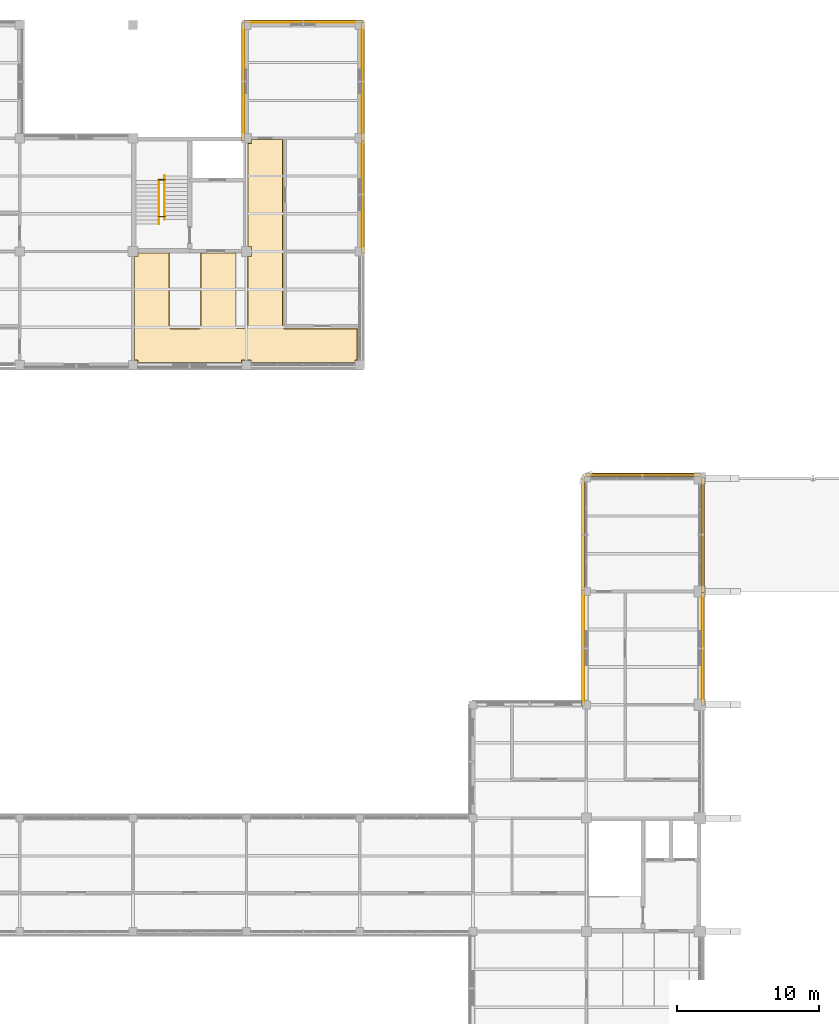
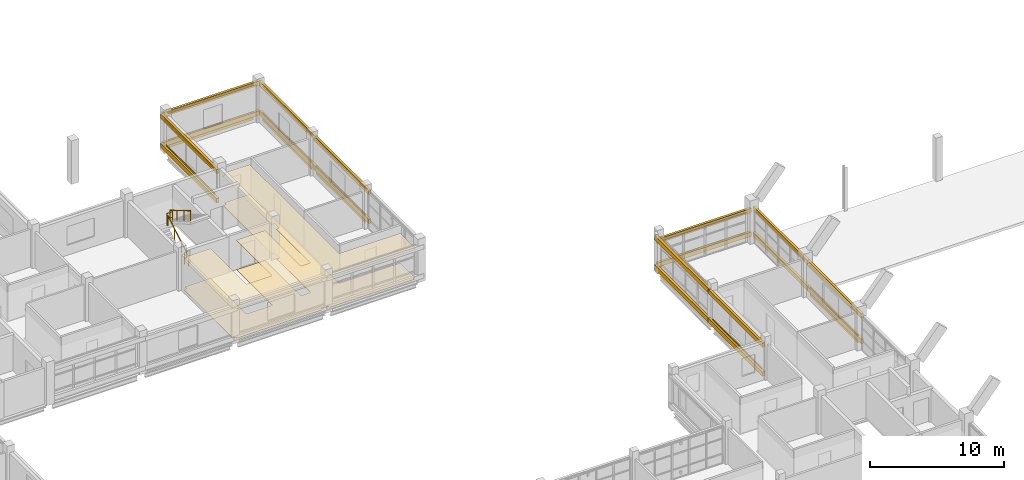
# One storey, part 87 of 92: 26 coverings, 7 shading devices, 4 railings.
"""IFC4 building model written with IfcOpenShell, lengths in metres."""

from ifc_helpers import new_model, si_unit, derived_unit, direction, frame, origin, origin_2d, place, context, subcontext, project, spatial, polyline, rectangle, circle, outline, extrude, material, layer, layer_set, material_profile, profile_set, type_object, element, save


model = new_model("IFC4")

# Units and contexts
model_context = context("Model", 3, precision=1e-05, world=origin(), true_north=direction((0.0, 1.0)))
body_context = subcontext(model_context, "Body", "Model", "MODEL_VIEW")
ifc_project = project(units=[si_unit("LENGTHUNIT", "METRE"), si_unit("AREAUNIT", "SQUARE_METRE"), si_unit("VOLUMEUNIT", "CUBIC_METRE"), si_unit("PLANEANGLEUNIT", "RADIAN"), si_unit("MASSUNIT", "GRAM", prefix="KILO"), derived_unit("THERMALTRANSMITTANCEUNIT", [(si_unit("MASSUNIT", "GRAM", prefix="KILO"), 1), (si_unit("TIMEUNIT", "SECOND"), -3), (si_unit("THERMODYNAMICTEMPERATUREUNIT", "KELVIN"), -1)])], contexts=[model_context])

# Site, building, storey
site_placement = place(None, origin())
site = spatial("IfcSite", under=ifc_project, at=site_placement, CompositionType="ELEMENT")
building_placement = place(site_placement, origin())
building = spatial("IfcBuilding", under=site, at=building_placement, Name="Veyamyaing Civic Hall", CompositionType="ELEMENT")
storey_placement = place(building_placement, frame((0.0, 0.0, 17.820068359375)))
storey = spatial("IfcBuildingStorey", under=building, at=storey_placement, Name="L04", CompositionType="ELEMENT", Elevation=17.820068359375)

# Coverings
ifc_material_1 = material(Name="Buff sandstone ashlar cladding", Category="masonry")
ifc_layer_1 = layer(ifc_material_1, 0.050048828125, Name="Buff sandstone ashlar cladding")
ifc_layer_set_1 = layer_set([ifc_layer_1], Name="Buff sandstone ashlar cladding")
covering_type_1 = type_object("IfcCoveringType", Name="CL-01", PredefinedType="CLADDING", material=ifc_layer_set_1)
covering_1_placement = place(storey_placement, frame((48.160888671875, 100.0, 0.044921875), z_axis=(0.0, 0.0, 1.0), x_axis=(0.0, 1.0, 0.0)))
element("IfcCovering", 1, at=covering_1_placement, inside=storey, type_object=covering_type_1, Name="Facade spandrel cladding CL-01 L04 E 6.13", PredefinedType="CLADDING", context=body_context, shape_type="SweptSolid", body=[
    extrude(rectangle(XDim=7.300048828125, YDim=0.050048828125, at=origin_2d()), origin(), (0.0, 0.0, 1.0), 0.75),
])
ifc_material_2 = material(Name="Turquoise glazed ceramic tile cladding", Category="masonry")
ifc_layer_2 = layer(ifc_material_2, 0.034912109375, Name="Turquoise glazed ceramic tile cladding")
ifc_layer_set_2 = layer_set([ifc_layer_2], Name="Turquoise glazed ceramic tile cladding")
covering_type_2 = type_object("IfcCoveringType", Name="CL-02", PredefinedType="CLADDING", material=ifc_layer_set_2)
covering_2_placement = place(storey_placement, frame((44.0, 112.153564453125, 0.044921875), z_axis=(0.0, 0.0, 1.0), x_axis=(1.0, 0.0, 0.0)))
element("IfcCovering", 2, at=covering_2_placement, inside=storey, type_object=covering_type_2, Name="Facade spandrel cladding CL-02 L04 N 6.14", PredefinedType="CLADDING", context=body_context, shape_type="SweptSolid", body=[
    extrude(rectangle(XDim=7.300048828125, YDim=0.034912109375, at=origin_2d()), origin(), (0.0, 0.0, 1.0), 0.75),
])
covering_3_placement = place(storey_placement, frame((39.846435546875, 108.012451171875, 0.044921875), z_axis=(0.0, 0.0, 1.0), x_axis=(0.0, 1.0, 0.0)))
element("IfcCovering", 3, at=covering_3_placement, inside=storey, type_object=covering_type_2, Name="Facade spandrel cladding CL-02 L04 W 6.14", PredefinedType="CLADDING", context=body_context, shape_type="SweptSolid", body=[
    extrude(rectangle(XDim=7.27490234375, YDim=0.034912109375, at=origin_2d()), origin(), (0.0, 0.0, 1.0), 0.75),
])
covering_4_placement = place(storey_placement, frame((48.153564453125, 108.0, 0.044921875), z_axis=(0.0, 0.0, 1.0), x_axis=(0.0, 1.0, 0.0)))
element("IfcCovering", 4, at=covering_4_placement, inside=storey, type_object=covering_type_2, Name="Facade spandrel cladding CL-02 L04 E 6.14", PredefinedType="CLADDING", context=body_context, shape_type="SweptSolid", body=[
    extrude(rectangle(XDim=7.300048828125, YDim=0.034912109375, at=origin_2d()), origin(), (0.0, 0.0, 1.0), 0.75),
])
covering_5_placement = place(storey_placement, frame((63.833984375, 68.0, 0.044921875), z_axis=(0.0, 0.0, 1.0), x_axis=(0.0, 1.0, 0.0)))
element("IfcCovering", 5, at=covering_5_placement, inside=storey, type_object=covering_type_2, Name="Facade spandrel cladding CL-02 L04 W 9.9", PredefinedType="CLADDING", context=body_context, shape_type="SweptSolid", body=[
    extrude(rectangle(XDim=7.39990234375, YDim=0.034912109375, at=origin_2d()), origin(), (0.0, 0.0, 1.0), 0.75),
])
covering_6_placement = place(storey_placement, frame((72.166015625, 68.0, 0.044921875), z_axis=(0.0, 0.0, 1.0), x_axis=(0.0, 1.0, 0.0)))
element("IfcCovering", 6, at=covering_6_placement, inside=storey, type_object=covering_type_2, Name="Facade spandrel cladding CL-02 L04 E 9.9", PredefinedType="CLADDING", context=body_context, shape_type="SweptSolid", body=[
    extrude(rectangle(XDim=7.14990234375, YDim=0.034912109375, at=origin_2d()), origin(), (0.0, 0.0, 1.0), 0.75),
])
ifc_material_3 = material(Name="White powder-coated aluminium 6063-T6", Category="aluminium")
ifc_layer_3 = layer(ifc_material_3, 0.2099609375, Name="White powder-coated aluminium 6063-T6")
ifc_layer_set_3 = layer_set([ifc_layer_3], Name="White powder-coated aluminium 6063-T6")
covering_type_3 = type_object("IfcCoveringType", Name="CL-03", PredefinedType="CLADDING", material=ifc_layer_set_3)
for number, where, z_axis, x_axis, name in (
    (7, (48.239990234375, 100.0, 2.93408203125), (0.0, 0.0, 1.0), (0.0, 1.0, 0.0), "Continuous white head fascia ribbon CL-03 L04 E 6.13"),
    (8, (48.239990234375, 100.0, 0.280029296875), (0.0, 0.0, 1.0), (0.0, 1.0, 0.0), "Continuous white sill fascia ribbon CL-03 L04 E 6.13"),
    (9, (44.0, 112.239990234375, 2.9970703125), (0.0, 0.0, 1.0), (1.0, 0.0, 0.0), "Continuous white head fascia ribbon CL-03 L04 N 6.14"),
    (10, (44.0, 112.239990234375, 0.280029296875), (0.0, 0.0, 1.0), (1.0, 0.0, 0.0), "Continuous white sill fascia ribbon CL-03 L04 N 6.14"),
    (11, (39.760009765625, 108.0, 2.93408203125), (0.0, 0.0, 1.0), (0.0, 1.0, 0.0), "Continuous white head fascia ribbon CL-03 L04 W 6.14"),
    (12, (39.760009765625, 108.0, 0.280029296875), (0.0, 0.0, 1.0), (0.0, 1.0, 0.0), "Continuous white sill fascia ribbon CL-03 L04 W 6.14"),
    (13, (48.239990234375, 108.0, 2.9970703125), (0.0, 0.0, 1.0), (0.0, 1.0, 0.0), "Continuous white head fascia ribbon CL-03 L04 E 6.14"),
    (14, (48.239990234375, 108.0, 0.280029296875), (0.0, 0.0, 1.0), (0.0, 1.0, 0.0), "Continuous white sill fascia ribbon CL-03 L04 E 6.14"),
):
    element("IfcCovering", number, at=place(storey_placement, frame(where, z_axis=z_axis, x_axis=x_axis)), inside=storey, type_object=covering_type_3, Name=name, PredefinedType="CLADDING", context=body_context, shape_type="SweptSolid", body=[
        extrude(rectangle(XDim=8.360107421875, YDim=0.2099609375, at=origin_2d()), origin(), (0.0, 0.0, 1.0), 0.39990234375),
    ])
for number, where, z_axis, x_axis, name in (
    (15, (63.760009765625, 68.0, 2.905029296875), (0.0, 0.0, 1.0), (0.0, 1.0, 0.0), "Continuous white head fascia ribbon CL-03 L04 W 9.9"),
    (16, (63.760009765625, 68.0, 0.280029296875), (0.0, 0.0, 1.0), (0.0, 1.0, 0.0), "Continuous white sill fascia ribbon CL-03 L04 W 9.9"),
    (17, (72.239990234375, 68.0, 2.6220703125), (0.0, 0.0, 1.0), (0.0, 1.0, 0.0), "Continuous white head fascia ribbon CL-03 L04 E 9.9"),
    (18, (72.239990234375, 68.0, 0.280029296875), (0.0, 0.0, 1.0), (0.0, 1.0, 0.0), "Continuous white sill fascia ribbon CL-03 L04 E 9.9"),
    (19, (68.0, 80.239990234375, 2.43701171875), (0.0, 0.0, 1.0), (1.0, 0.0, 0.0), "Continuous white head fascia ribbon CL-03 L04 N 9.10"),
    (20, (68.0, 80.239990234375, 0.280029296875), (0.0, 0.0, 1.0), (1.0, 0.0, 0.0), "Continuous white sill fascia ribbon CL-03 L04 N 9.10"),
    (21, (63.760009765625, 76.0, 2.968994140625), (0.0, 0.0, 1.0), (0.0, 1.0, 0.0), "Continuous white head fascia ribbon CL-03 L04 W 9.10"),
    (22, (63.760009765625, 76.0, 0.280029296875), (0.0, 0.0, 1.0), (0.0, 1.0, 0.0), "Continuous white sill fascia ribbon CL-03 L04 W 9.10"),
    (23, (72.239990234375, 76.0, 2.6220703125), (0.0, 0.0, 1.0), (0.0, 1.0, 0.0), "Continuous white head fascia ribbon CL-03 L04 E 9.10"),
    (24, (72.239990234375, 76.0, 0.280029296875), (0.0, 0.0, 1.0), (0.0, 1.0, 0.0), "Continuous white sill fascia ribbon CL-03 L04 E 9.10"),
):
    element("IfcCovering", number, at=place(storey_placement, frame(where, z_axis=z_axis, x_axis=x_axis)), inside=storey, type_object=covering_type_3, Name=name, PredefinedType="CLADDING", context=body_context, shape_type="SweptSolid", body=[
        extrude(rectangle(XDim=8.1201171875, YDim=0.2099609375, at=origin_2d()), origin(), (0.0, 0.0, 1.0), 0.39990234375),
    ])
ifc_material_4 = material(Name="Perforated acoustic gypsum ceiling board")
ifc_layer_4 = layer(ifc_material_4, 0.02490234375, Name="Perforated acoustic gypsum ceiling board")
ifc_layer_set_4 = layer_set([ifc_layer_4], Name="Perforated acoustic gypsum ceiling board")
covering_type_4 = type_object("IfcCoveringType", Name="CLG-01", PredefinedType="CEILING", material=ifc_layer_set_4)
covering_7_placement = place(storey_placement, frame((0.0, 0.0, 2.699951171875)))
element("IfcCovering", 25, at=covering_7_placement, inside=storey, type_object=covering_type_4, Name="Acoustic suspended ceiling CLG-01 L04-C02", PredefinedType="CEILING", context=body_context, shape_type="SweptSolid", body=[
    extrude(outline(polyline([(34.574951171875, 95.925048828125), (34.574951171875, 90.652587890625), (34.581298828125, 90.62158203125), (34.597412109375, 90.597412109375), (34.62158203125, 90.581298828125), (34.652587890625, 90.574951171875), (36.6982421875, 90.574951171875), (36.7216796875, 90.57861328125), (36.741455078125, 90.587890625), (36.7578125, 90.6025390625), (36.768798828125, 90.620849609375), (36.77490234375, 90.652587890625), (36.77490234375, 95.925048828125), (39.27490234375, 95.925048828125), (39.27685546875, 90.635009765625), (39.2841796875, 90.61474609375), (39.296875, 90.59765625), (39.322021484375, 90.580810546875), (39.34326171875, 90.575439453125), (39.99755859375, 90.574951171875), (40.028564453125, 90.581298828125), (40.052734375, 90.597412109375), (40.06884765625, 90.62158203125), (40.074951171875, 90.652587890625), (40.074951171875, 95.6650390625), (40.3349609375, 95.6650390625), (40.3349609375, 96.3349609375), (40.074951171875, 96.3349609375), (40.074951171875, 103.6650390625), (40.3349609375, 103.6650390625), (40.3349609375, 103.925048828125), (42.574951171875, 103.925048828125), (42.574951171875, 90.65185546875), (42.578369140625, 90.62890625), (42.5927734375, 90.602294921875), (42.6083984375, 90.587890625), (42.62841796875, 90.57861328125), (42.65185546875, 90.574951171875), (47.844970703125, 90.574951171875), (47.844970703125, 88.31005859375), (47.68994140625, 88.31005859375), (47.68994140625, 88.155029296875), (40.31005859375, 88.155029296875), (40.31005859375, 88.31005859375), (39.68994140625, 88.31005859375), (39.68994140625, 88.155029296875), (32.31005859375, 88.155029296875), (32.31005859375, 88.31005859375), (32.074951171875, 88.31005859375), (32.074951171875, 95.6650390625), (32.3349609375, 95.6650390625), (32.3349609375, 95.925048828125), (34.574951171875, 95.925048828125)])), origin(), (0.0, 0.0, 1.0), 0.02490234375),
])
ifc_material_5 = material(Name="Polished Mandalay marble and terrazzo flooring", Category="masonry")
ifc_layer_5 = layer(ifc_material_5, 0.030029296875, Name="Polished Mandalay marble and terrazzo flooring")
ifc_layer_set_5 = layer_set([ifc_layer_5], Name="Polished Mandalay marble and terrazzo flooring")
covering_type_5 = type_object("IfcCoveringType", Name="FLR-01", PredefinedType="FLOORING", material=ifc_layer_set_5)
covering_8_placement = place(storey_placement, origin())
element("IfcCovering", 26, at=covering_8_placement, inside=storey, type_object=covering_type_5, Name="Stone and terrazzo flooring FLR-01 L04-C02", PredefinedType="FLOORING", context=body_context, shape_type="SweptSolid", body=[
    extrude(outline(polyline([(34.550048828125, 95.89990234375), (34.550048828125, 90.64990234375), (34.5576171875, 90.61181640625), (34.579345703125, 90.579345703125), (34.61181640625, 90.5576171875), (34.64990234375, 90.550048828125), (36.699951171875, 90.550048828125), (36.72900390625, 90.55419921875), (36.755615234375, 90.56689453125), (36.77734375, 90.586669921875), (36.79248046875, 90.61181640625), (36.800048828125, 90.64990234375), (36.800048828125, 95.89990234375), (39.25, 95.89990234375), (39.251953125, 90.630615234375), (39.26171875, 90.602783203125), (39.279296875, 90.579345703125), (39.311767578125, 90.5576171875), (39.340087890625, 90.550537109375), (40.0, 90.550048828125), (40.038330078125, 90.5576171875), (40.07080078125, 90.579345703125), (40.09228515625, 90.61181640625), (40.10009765625, 90.64990234375), (40.10009765625, 95.639892578125), (40.360107421875, 95.639892578125), (40.360107421875, 96.360107421875), (40.10009765625, 96.360107421875), (40.10009765625, 103.639892578125), (40.360107421875, 103.639892578125), (40.360107421875, 103.89990234375), (42.550048828125, 103.89990234375), (42.550048828125, 90.64990234375), (42.55419921875, 90.62109375), (42.57275390625, 90.586669921875), (42.594482421875, 90.56689453125), (42.62109375, 90.55419921875), (42.64990234375, 90.550048828125), (47.820068359375, 90.550048828125), (47.820068359375, 88.3349609375), (47.6650390625, 88.3349609375), (47.6650390625, 88.179931640625), (40.3349609375, 88.179931640625), (40.3349609375, 88.3349609375), (39.6650390625, 88.3349609375), (39.6650390625, 88.179931640625), (32.3349609375, 88.179931640625), (32.3349609375, 88.3349609375), (32.10009765625, 88.3349609375), (32.10009765625, 95.639892578125), (32.360107421875, 95.639892578125), (32.360107421875, 95.89990234375), (34.550048828125, 95.89990234375)])), origin(), (0.0, 0.0, 1.0), 0.030029296875),
])

# Railings
ifc_material_6 = material(Name="Steel S355J2", Category="steel")
railing_type_1 = type_object("IfcRailingType", Name="RL-01", PredefinedType="BALUSTRADE", material=ifc_material_6)
railing_1_placement = place(storey_placement, frame((33.780029296875, 101.070068359375, 1.97998046875)))
element("IfcRailing", 27, at=railing_1_placement, inside=storey, type_object=railing_type_1, Name="Half-landing slot guard RL-01 ST-02 L04", PredefinedType="BALUSTRADE", context=body_context, shape_type="SweptSolid", body=[
    extrude(circle(Radius=0.02392578125, at=origin_2d()), frame((0.0, 0.0, 1.076171875), z_axis=(1.0, 0.0, 0.0), x_axis=(0.0, 1.0, 0.0)), (0.0, 0.0, 1.0), 0.489990234375),
    extrude(circle(Radius=0.01416015625, at=origin_2d()), frame((0.0, 0.0, 0.572021484375), z_axis=(1.0, 0.0, 0.0), x_axis=(0.0, 1.0, 0.0)), (0.0, 0.0, 1.0), 0.489990234375),
    extrude(circle(Radius=0.02099609375, at=origin_2d()), origin(), (0.0, 0.0, 1.0), 1.052001953125),
    extrude(circle(Radius=0.02099609375, at=origin_2d()), frame((0.489990234375, 0.0, 0.0)), (0.0, 0.0, 1.0), 1.052001953125),
])
railing_2_placement = place(storey_placement, frame((33.800048828125, 98.47998046875, 0.0)))
element("IfcRailing", 28, at=railing_2_placement, inside=storey, type_object=railing_type_1, Name="Floor-landing slot guard RL-01 ST-02 L04", PredefinedType="BALUSTRADE", context=body_context, shape_type="SweptSolid", body=[
    extrude(circle(Radius=0.02392578125, at=origin_2d()), frame((0.0, 0.0, 1.076171875), z_axis=(1.0, 0.0, 0.0), x_axis=(0.0, 1.0, 0.0)), (0.0, 0.0, 1.0), 0.469970703125),
    extrude(circle(Radius=0.01416015625, at=origin_2d()), frame((0.0, 0.0, 0.572021484375), z_axis=(1.0, 0.0, 0.0), x_axis=(0.0, 1.0, 0.0)), (0.0, 0.0, 1.0), 0.469970703125),
    extrude(circle(Radius=0.02099609375, at=origin_2d()), origin(), (0.0, 0.0, 1.0), 1.052001953125),
    extrude(circle(Radius=0.02099609375, at=origin_2d()), frame((0.469970703125, 0.0, 0.0)), (0.0, 0.0, 1.0), 1.052001953125),
])
railing_type_2 = type_object("IfcRailingType", Name="RL-02", PredefinedType="HANDRAIL", material=ifc_material_6)
railing_3_placement = place(storey_placement, frame((33.840087890625, 97.949951171875, 0.1650390625)))
element("IfcRailing", 29, at=railing_3_placement, inside=storey, type_object=railing_type_2, Name="Stair pitch handrail RL-02 ST-02 L04.1", PredefinedType="HANDRAIL", context=body_context, shape_type="SweptSolid", body=[
    extrude(circle(Radius=0.02392578125, at=origin_2d()), frame((0.0, 0.0, 0.89599609375), z_axis=(0.0, 0.861551262678, 0.507670583921), x_axis=(-1.0, 0.0, 0.0)), (0.0, 0.0, 1.0), 3.574951171875),
    extrude(circle(Radius=0.02099609375, at=origin_2d()), origin(), (0.0, 0.0, 1.0), 0.871826171875),
    extrude(circle(Radius=0.02099609375, at=origin_2d()), frame((0.0, 1.026611328125, 0.60498046875)), (0.0, 0.0, 1.0), 0.871826171875),
    extrude(circle(Radius=0.02099609375, at=origin_2d()), frame((0.0, 2.053466796875, 1.2099609375)), (0.0, 0.0, 1.0), 0.871826171875),
    extrude(circle(Radius=0.02099609375, at=origin_2d()), frame((0.0, 3.080078125, 1.81494140625)), (0.0, 0.0, 1.0), 0.871826171875),
])
railing_4_placement = place(storey_placement, frame((34.219970703125, 101.35009765625, 2.14501953125)))
element("IfcRailing", 30, at=railing_4_placement, inside=storey, type_object=railing_type_2, Name="Stair pitch handrail RL-02 ST-02 L04.2", PredefinedType="HANDRAIL", context=body_context, shape_type="SweptSolid", body=[
    extrude(circle(Radius=0.02392578125, at=origin_2d()), frame((0.0, 0.0, 0.89599609375), z_axis=(0.0, -0.861551262678, 0.507670583921), x_axis=(1.0, 0.0, 0.0)), (0.0, 0.0, 1.0), 3.574951171875),
    extrude(circle(Radius=0.02099609375, at=origin_2d()), origin(), (0.0, 0.0, 1.0), 0.871826171875),
    extrude(circle(Radius=0.02099609375, at=origin_2d()), frame((0.0, -1.026611328125, 0.60498046875)), (0.0, 0.0, 1.0), 0.871826171875),
    extrude(circle(Radius=0.02099609375, at=origin_2d()), frame((0.0, -2.053466796875, 1.2099609375)), (0.0, 0.0, 1.0), 0.871826171875),
    extrude(circle(Radius=0.02099609375, at=origin_2d()), frame((0.0, -3.080078125, 1.81494140625)), (0.0, 0.0, 1.0), 0.871826171875),
])

# Shading devices
ifc_material_profile_1 = material_profile(ifc_material_3, circle(Radius=0.110107421875, at=origin_2d()), Name="SHADE-TUBE-220")
ifc_profile_set_1 = profile_set([ifc_material_profile_1], Name="White powder-coated aluminium 6063-T6")
shading_device_type_1 = type_object("IfcShadingDeviceType", Name="SH-01", PredefinedType="USERDEFINED", material=ifc_profile_set_1)
shading_device_1_placement = place(storey_placement, frame((72.239990234375, 64.385009765625, 2.781982421875), z_axis=(0.0, 1.0, 0.0), x_axis=(-1.0, 0.0, 0.0)))
element("IfcShadingDevice", 31, at=shading_device_1_placement, inside=storey, type_object=shading_device_type_1, Name="Horizontal white sunshade ribbon SH-01 L04 E 9.9", ObjectType="SUNSHADE", PredefinedType="USERDEFINED", context=body_context, shape_type="SweptSolid", body=[
    extrude(circle(Radius=0.110107421875, at=origin_2d()), origin(), (0.0, 0.0, 1.0), 7.22998046875),
])
shading_device_2_placement = place(storey_placement, frame((64.260009765625, 80.239990234375, 2.596923828125), z_axis=(1.0, 0.0, 0.0), x_axis=(0.0, 1.0, 0.0)))
element("IfcShadingDevice", 32, at=shading_device_2_placement, inside=storey, type_object=shading_device_type_1, Name="Horizontal white sunshade ribbon SH-01 L04 N 9.10", ObjectType="SUNSHADE", PredefinedType="USERDEFINED", context=body_context, shape_type="SweptSolid", body=[
    extrude(circle(Radius=0.110107421875, at=origin_2d()), origin(), (0.0, 0.0, 1.0), 7.35498046875),
])
shading_device_3_placement = place(storey_placement, frame((72.239990234375, 72.385009765625, 2.781982421875), z_axis=(0.0, 1.0, 0.0), x_axis=(-1.0, 0.0, 0.0)))
element("IfcShadingDevice", 33, at=shading_device_3_placement, inside=storey, type_object=shading_device_type_1, Name="Horizontal white sunshade ribbon SH-01 L04 E 9.10", ObjectType="SUNSHADE", PredefinedType="USERDEFINED", context=body_context, shape_type="SweptSolid", body=[
    extrude(circle(Radius=0.110107421875, at=origin_2d()), origin(), (0.0, 0.0, 1.0), 7.22998046875),
])
ifc_material_profile_2 = material_profile(ifc_material_3, circle(Radius=0.090087890625, at=origin_2d()), Name="SHADE-TUBE-180")
ifc_profile_set_2 = profile_set([ifc_material_profile_2], Name="White powder-coated aluminium 6063-T6")
shading_device_type_2 = type_object("IfcShadingDeviceType", Name="SH-02", PredefinedType="USERDEFINED", material=ifc_profile_set_2)
for number, where, z_axis, x_axis, name in (
    (34, (48.239990234375, 96.31005859375, 3.093994140625), (0.0, 1.0, 0.0), (-1.0, 0.0, 0.0), "Horizontal white sunshade ribbon SH-02 L04 E 6.13"),
    (35, (40.31005859375, 112.239990234375, 3.156982421875), (1.0, 0.0, 0.0), (0.0, 1.0, 0.0), "Horizontal white sunshade ribbon SH-02 L04 N 6.14"),
):
    element("IfcShadingDevice", number, at=place(storey_placement, frame(where, z_axis=z_axis, x_axis=x_axis)), inside=storey, type_object=shading_device_type_2, Name=name, ObjectType="SUNSHADE", PredefinedType="USERDEFINED", context=body_context, shape_type="SweptSolid", body=[
        extrude(circle(Radius=0.090087890625, at=origin_2d()), origin(), (0.0, 0.0, 1.0), 7.3798828125),
    ])
shading_device_4_placement = place(storey_placement, frame((39.760009765625, 104.3349609375, 3.093994140625), z_axis=(0.0, 1.0, 0.0), x_axis=(-1.0, 0.0, 0.0)))
element("IfcShadingDevice", 36, at=shading_device_4_placement, inside=storey, type_object=shading_device_type_2, Name="Horizontal white sunshade ribbon SH-02 L04 W 6.14", ObjectType="SUNSHADE", PredefinedType="USERDEFINED", context=body_context, shape_type="SweptSolid", body=[
    extrude(circle(Radius=0.090087890625, at=origin_2d()), origin(), (0.0, 0.0, 1.0), 7.35498046875),
])
shading_device_5_placement = place(storey_placement, frame((48.239990234375, 104.31005859375, 3.156982421875), z_axis=(0.0, 1.0, 0.0), x_axis=(-1.0, 0.0, 0.0)))
element("IfcShadingDevice", 37, at=shading_device_5_placement, inside=storey, type_object=shading_device_type_2, Name="Horizontal white sunshade ribbon SH-02 L04 E 6.14", ObjectType="SUNSHADE", PredefinedType="USERDEFINED", context=body_context, shape_type="SweptSolid", body=[
    extrude(circle(Radius=0.090087890625, at=origin_2d()), origin(), (0.0, 0.0, 1.0), 7.3798828125),
])

save(model, "model.ifc")
